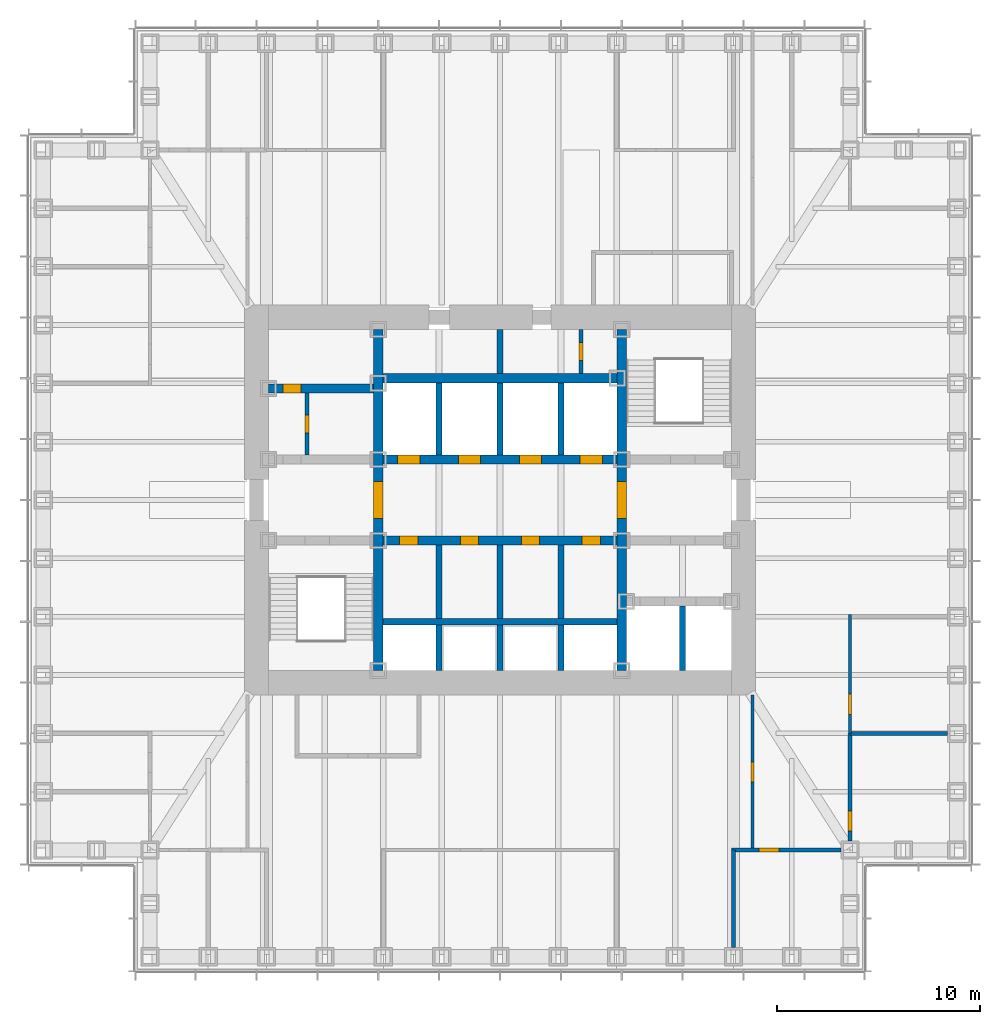
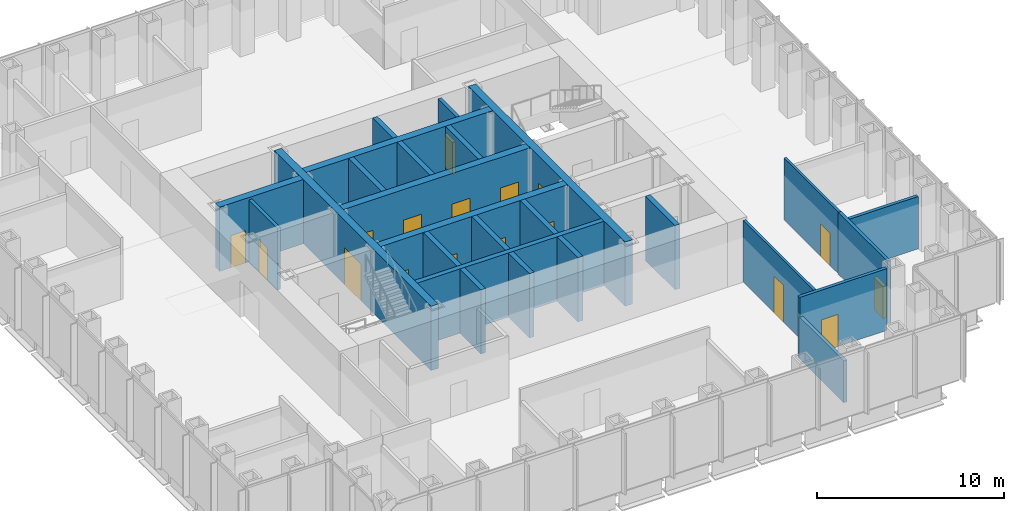
# One storey, part 9 of 17: 26 walls, 17 doors, 17 openings.
"""IFC4 building model written with IfcOpenShell, lengths in metres."""

import ifcopenshell
import ifcopenshell.guid

model = None  # the IFC model being written
_history = None  # IfcOwnerHistory: only IFC2X3 demands one
_inside = {}  # id of a spatial element -> (the spatial element, [elements in it])
_under = {}  # id of a project, library or spatial element -> (it, [spatial elements below it])
_declared = {}  # id of a project -> (the project, [libraries it declares])
_typed = {}  # id of a type object -> (the type object, [elements of that type])
_made_of = {}  # id of a material, layer set ... -> (it, [elements and type objects made of it])


def new_model(schema):
    """Start an empty IFC model of exactly this schema.

    Asked for "IFC4X3", IfcOpenShell would pick the latest addendum, in which some entities
    have other attributes; the version numbers below select the first issue.
    IFC2X3 requires an IfcOwnerHistory on every rooted entity: one is made here for all.
    """
    global model, _history
    if schema == "IFC4X3":
        model = ifcopenshell.file(schema_version=(4, 3, 0, 0))
    else:
        model = ifcopenshell.file(schema=schema)
    _inside.clear()
    _under.clear()
    _declared.clear()
    _typed.clear()
    _made_of.clear()
    _history = None
    if model.schema == "IFC2X3":
        org = make("IfcOrganization", Name="unknown")
        user = make(
            "IfcPersonAndOrganization",
            ThePerson=make("IfcPerson", FamilyName="unknown"),
            TheOrganization=org,
        )
        app = make(
            "IfcApplication",
            ApplicationDeveloper=org,
            Version="unknown",
            ApplicationFullName="unknown",
            ApplicationIdentifier="unknown",
        )
        _history = make(
            "IfcOwnerHistory",
            OwningUser=user,
            OwningApplication=app,
            ChangeAction="ADDED",
            CreationDate=0,
        )
    return model


def make(cls, **values):
    """One entity of the class cls with the attributes given. An attribute that is None is left unset."""
    return model.create_entity(
        cls, **{name: value for name, value in values.items() if value is not None}
    )


def rooted(cls, **values):
    """An entity with a GlobalId (a new one), such as an element, a storey or a relation."""
    return make(cls, GlobalId=ifcopenshell.guid.new(), OwnerHistory=_history, **values)


def si_unit(unit_type, name, prefix=None):
    """IfcSIUnit, for example si_unit("LENGTHUNIT", "METRE", prefix="MILLI")."""
    return make("IfcSIUnit", UnitType=unit_type, Prefix=prefix, Name=name)


def assignment(units):
    """IfcUnitAssignment: the units of a project."""
    return None if units is None else make("IfcUnitAssignment", Units=units)


def point(xyz):
    """IfcCartesianPoint."""
    return None if xyz is None else make("IfcCartesianPoint", Coordinates=xyz)


def direction(xyz):
    """IfcDirection."""
    return None if xyz is None else make("IfcDirection", DirectionRatios=xyz)


def frame(location, z_axis=None, x_axis=None):
    """IfcAxis2Placement3D, a coordinate frame: its origin and axes. An axis left out is left unset."""
    return make(
        "IfcAxis2Placement3D",
        Location=point(location),
        Axis=direction(z_axis),
        RefDirection=direction(x_axis),
    )


def frame_2d(location, x_axis=None):
    """IfcAxis2Placement2D, a coordinate frame in the plane: its origin and x axis."""
    return make(
        "IfcAxis2Placement2D", Location=point(location), RefDirection=direction(x_axis)
    )


def origin():
    """The frame at (0, 0, 0) with its axes left unset."""
    return frame((0.0, 0.0, 0.0))


def place(relative_to, where):
    """IfcLocalPlacement: puts the frame where relative to a parent placement (None: the world)."""
    return make(
        "IfcLocalPlacement", PlacementRelTo=relative_to, RelativePlacement=where
    )


def context(
    kind, dimensions, precision=None, world=None, true_north=None, identifier=None
):
    """IfcGeometricRepresentationContext, for example the 3D "Model" context."""
    return make(
        "IfcGeometricRepresentationContext",
        ContextIdentifier=identifier,
        ContextType=kind,
        CoordinateSpaceDimension=dimensions,
        Precision=precision,
        WorldCoordinateSystem=world,
        TrueNorth=true_north,
    )


def subcontext(parent, identifier, kind, view, scale=None):
    """IfcGeometricRepresentationSubContext, for example "Body" below "Model"."""
    return make(
        "IfcGeometricRepresentationSubContext",
        ContextIdentifier=identifier,
        ContextType=kind,
        ParentContext=parent,
        TargetScale=scale,
        TargetView=view,
    )


def project(units=None, contexts=None):
    """IfcProject with its units and contexts."""
    return rooted(
        "IfcProject",
        Name="project",
        RepresentationContexts=contexts,
        UnitsInContext=assignment(units),
    )


def spatial(cls, under=None, at=None, **own):
    """A site, building, storey or space (cls), placed at a placement, below another one or the project."""
    s = rooted(cls, ObjectPlacement=at, **own)
    if under is not None:
        _under.setdefault(under.id(), (under, []))[1].append(s)
    return s


def profile(cls, at=None, kind="AREA", **sizes):
    """A parametric profile (cls). Its sizes go by their IFC names, for example OverallWidth=200.0."""
    return make(cls, ProfileType=kind, Position=at, **sizes)


def rectangle(**sizes):
    """IfcRectangleProfileDef."""
    return profile("IfcRectangleProfileDef", **sizes)


def extrude(swept, where, along, depth):
    """IfcExtrudedAreaSolid: the profile swept, set in the frame where, extruded along a direction by depth."""
    return make(
        "IfcExtrudedAreaSolid",
        SweptArea=swept,
        Position=where,
        ExtrudedDirection=direction(along),
        Depth=depth,
    )


def shape(context_of_items, identifier, shape_type, items):
    """IfcShapeRepresentation: the items that make up one representation, for example the "Body"."""
    return make(
        "IfcShapeRepresentation",
        ContextOfItems=context_of_items,
        RepresentationIdentifier=identifier,
        RepresentationType=shape_type,
        Items=items,
    )


def material(Name=None, Category=None):
    """IfcMaterial."""
    return make("IfcMaterial", Name=Name, Category=Category)


def layer(
    of_material, thickness, ventilated=None, Name=None, Category=None, Priority=None
):
    """IfcMaterialLayer: one layer of a wall or slab, of a material (None: an air gap)."""
    return make(
        "IfcMaterialLayer",
        Material=of_material,
        LayerThickness=thickness,
        IsVentilated=ventilated,
        Name=Name,
        Category=Category,
        Priority=Priority,
    )


def layer_set(layers, Name=None):
    """IfcMaterialLayerSet."""
    return make("IfcMaterialLayerSet", MaterialLayers=layers, LayerSetName=Name)


def made_of(thing, what):
    """Note that an element or type object is made of a material, layer set ...; save() writes the relation."""
    if what is not None:
        _made_of.setdefault(what.id(), (what, []))[1].append(thing)
    return thing


def type_object(cls, material=None, **own):
    """A type object (cls), such as IfcWallType, which elements share."""
    return made_of(rooted(cls, **own), material)


def element(
    cls,
    number,
    at=None,
    inside=None,
    cuts=None,
    type_object=None,
    material=None,
    context=None,
    identifier="Body",
    shape_type=None,
    held_by="IfcProductDefinitionShape",
    body=None,
    shapes=None,
    **own,
):
    """One element of the class cls, such as IfcWall. Its Tag is "e" and its number.

    at: its placement. inside: the storey or other place that contains it. cuts: it is an
    opening in that element (IfcRelVoidsElement). A single representation is given by context,
    identifier, shape_type and body (its items); several are given by shapes. held_by: the class
    of the entity that holds the representations. save() writes the other relations.
    """
    e = rooted(cls, Tag="e%d" % number, ObjectPlacement=at, **own)
    if body is not None:
        shapes = [shape(context, identifier, shape_type, body)]
    if shapes is not None:
        e.Representation = make(held_by, Representations=shapes)
    if inside is not None:
        _inside.setdefault(inside.id(), (inside, []))[1].append(e)
    if cuts is not None:
        rooted(
            "IfcRelVoidsElement", RelatingBuildingElement=cuts, RelatedOpeningElement=e
        )
    if type_object is not None:
        _typed.setdefault(type_object.id(), (type_object, []))[1].append(e)
    return made_of(e, material)


def fill(opening, filler):
    """IfcRelFillsElement: the door or window that sits in an opening."""
    return rooted(
        "IfcRelFillsElement",
        RelatingOpeningElement=opening,
        RelatedBuildingElement=filler,
    )


def aggregate(whole, parts):
    """IfcRelAggregates: a whole, such as a stair, and the parts it consists of."""
    return rooted("IfcRelAggregates", RelatingObject=whole, RelatedObjects=parts)


def save(model, path):
    """Write the relations noted so far, then the file.

    IfcRelAggregates (storeys below a building ...), IfcRelContainedInSpatialStructure (elements
    in a storey), IfcRelDefinesByType, IfcRelAssociatesMaterial and IfcRelDeclares: one each for
    every whole, place, type object, material and project.
    """
    for whole, parts in _under.values():
        aggregate(whole, parts)
    for where, things in _inside.values():
        rooted(
            "IfcRelContainedInSpatialStructure",
            RelatedElements=things,
            RelatingStructure=where,
        )
    for kind, things in _typed.values():
        rooted("IfcRelDefinesByType", RelatedObjects=things, RelatingType=kind)
    for what, things in _made_of.values():
        rooted("IfcRelAssociatesMaterial", RelatedObjects=things, RelatingMaterial=what)
    for by, libraries in _declared.values():
        rooted("IfcRelDeclares", RelatingContext=by, RelatedDefinitions=libraries)
    model.write(path)


model = new_model("IFC4")

# Units and contexts
model_context = context("Model", 3, precision=1e-05, world=origin(), true_north=direction((0.0, 1.0)))
body_context = subcontext(model_context, "Body", "Model", "MODEL_VIEW")
ifc_project = project(units=[si_unit("LENGTHUNIT", "METRE"), si_unit("AREAUNIT", "SQUARE_METRE"), si_unit("VOLUMEUNIT", "CUBIC_METRE"), si_unit("PLANEANGLEUNIT", "RADIAN"), si_unit("MASSUNIT", "GRAM", prefix="KILO")], contexts=[model_context])

# Site, building, storey
site_placement = place(None, origin())
site = spatial("IfcSite", under=ifc_project, at=site_placement, CompositionType="ELEMENT")
building_placement = place(site_placement, origin())
building = spatial("IfcBuilding", under=site, at=building_placement, Name="Daluyong Arena Tower", CompositionType="ELEMENT")
storey_placement = place(building_placement, frame((0.0, 0.0, 145.89990234375)))
storey = spatial("IfcBuildingStorey", under=building, at=storey_placement, Name="L32", CompositionType="ELEMENT", Elevation=145.89990234375)

# Wall, opening, door
ifc_material_1 = material(Name="Concrete fc' 45 MPa", Category="concrete")
ifc_layer_1 = layer(ifc_material_1, 0.449951171875)
ifc_layer_set_1 = layer_set([ifc_layer_1], Name="Concrete fc' 45 MPa")
wall_type_1 = type_object("IfcWallType", Name="Core inner wall 450", PredefinedType="SHEAR", material=ifc_layer_set_1)
wall_1_placement = place(storey_placement, frame((50.0, 71.60009765625, 0.0), z_axis=(0.0, 0.0, 1.0), x_axis=(0.0, 1.0, 0.0)))
wall_1 = element("IfcWall", 1, at=wall_1_placement, inside=storey, type_object=wall_type_1, Name="core inner wall at L32", PredefinedType="SHEAR", context=body_context, shape_type="SweptSolid", body=[
    extrude(rectangle(XDim=16.7998046875, YDim=0.449951171875, at=frame_2d((8.39990234375, 0.0))), origin(), (0.0, 0.0, 1.0), 4.2001953125),
])
opening_1_placement = place(wall_1_placement, frame((7.5, 0.0, 0.0)))
opening_1 = element("IfcOpeningElement", 2, at=opening_1_placement, cuts=wall_1, Name="Opening 32015", PredefinedType="OPENING", context=body_context, shape_type="SweptSolid", body=[
    extrude(rectangle(XDim=1.800048828125, YDim=2.39990234375, at=frame_2d((0.89990234375, 1.199951171875))), frame((0.0, 0.23486328125, 0.0), z_axis=(0.0, -1.0, 0.0), x_axis=(1.0, 0.0, 0.0)), (0.0, 0.0, 1.0), 0.469970703125),
])
ifc_material_2 = material(Name="Steel door, fire rated", Category="steel")
door_type_1 = type_object("IfcDoorType", Name="Lift lobby opening door 1800", OperationType="DOUBLE_DOOR_SINGLE_SWING", PredefinedType="DOOR", material=ifc_material_2)
door_1_placement = place(opening_1_placement, origin())
door_1 = element("IfcDoor", 3, at=door_1_placement, inside=storey, type_object=door_type_1, Name="lift lobby door west 32015", OperationType="DOUBLE_DOOR_SINGLE_SWING", OverallHeight=2.39990234375, OverallWidth=1.800048828125, PredefinedType="DOOR", context=body_context, shape_type="SweptSolid", body=[
    extrude(rectangle(XDim=1.800048828125, YDim=2.39990234375, at=frame_2d((0.89990234375, 1.199951171875))), frame((0.0, 0.224609375, 0.0), z_axis=(0.0, -1.0, 0.0), x_axis=(1.0, 0.0, 0.0)), (0.0, 0.0, 1.0), 0.449462890625),
])
fill(opening_1, door_1)

wall_2_placement = place(storey_placement, frame((62.0, 71.60009765625, 0.0), z_axis=(0.0, 0.0, 1.0), x_axis=(0.0, 1.0, 0.0)))
wall_2 = element("IfcWall", 4, at=wall_2_placement, inside=storey, type_object=wall_type_1, Name="core inner wall at L32", PredefinedType="SHEAR", context=body_context, shape_type="SweptSolid", body=[
    extrude(rectangle(XDim=16.7998046875, YDim=0.449951171875, at=frame_2d((8.39990234375, 0.0))), origin(), (0.0, 0.0, 1.0), 4.2001953125),
])
opening_2_placement = place(wall_2_placement, frame((7.5, 0.0, 0.0)))
opening_2 = element("IfcOpeningElement", 5, at=opening_2_placement, cuts=wall_2, Name="Opening 32016", PredefinedType="OPENING", context=body_context, shape_type="SweptSolid", body=[
    extrude(rectangle(XDim=1.800048828125, YDim=2.39990234375, at=frame_2d((0.89990234375, 1.199951171875))), frame((0.0, 0.23486328125, 0.0), z_axis=(0.0, -1.0, 0.0), x_axis=(1.0, 0.0, 0.0)), (0.0, 0.0, 1.0), 0.469970703125),
])
door_2_placement = place(opening_2_placement, origin())
door_2 = element("IfcDoor", 6, at=door_2_placement, inside=storey, type_object=door_type_1, Name="lift lobby door east 32016", OperationType="DOUBLE_DOOR_SINGLE_SWING", OverallHeight=2.39990234375, OverallWidth=1.800048828125, PredefinedType="DOOR", context=body_context, shape_type="SweptSolid", body=[
    extrude(rectangle(XDim=1.800048828125, YDim=2.39990234375, at=frame_2d((0.89990234375, 1.199951171875))), frame((0.0, 0.224609375, 0.0), z_axis=(0.0, -1.0, 0.0), x_axis=(1.0, 0.0, 0.0)), (0.0, 0.0, 1.0), 0.449462890625),
])
fill(opening_2, door_2)

wall_3_placement = place(storey_placement, frame((44.60009765625, 85.5, 0.0), z_axis=(0.0, 0.0, 1.0), x_axis=(1.0, 0.0, 0.0)))
wall_3 = element("IfcWall", 7, at=wall_3_placement, inside=storey, type_object=wall_type_1, Name="core inner wall at L32", PredefinedType="SHEAR", context=body_context, shape_type="SweptSolid", body=[
    extrude(rectangle(XDim=5.1748046875, YDim=0.449951171875, at=frame_2d((2.58740234375, 0.0))), origin(), (0.0, 0.0, 1.0), 4.2001953125),
])
opening_3_placement = place(wall_3_placement, frame((0.699951171875, 0.0, 0.0)))
opening_3 = element("IfcOpeningElement", 8, at=opening_3_placement, cuts=wall_3, Name="Opening 32003", PredefinedType="OPENING", context=body_context, shape_type="SweptSolid", body=[
    extrude(rectangle(XDim=0.89990234375, YDim=2.10009765625, at=frame_2d((0.449951171875, 1.050048828125))), frame((0.0, 0.23486328125, 0.0), z_axis=(0.0, -1.0, 0.0), x_axis=(1.0, 0.0, 0.0)), (0.0, 0.0, 1.0), 0.469970703125),
])
ifc_material_3 = material(Name="Timber door", Category="wood")
door_type_2 = type_object("IfcDoorType", Name="Toilet door 900", OperationType="SINGLE_SWING_RIGHT", PredefinedType="DOOR", material=ifc_material_3)
door_3_placement = place(opening_3_placement, origin())
door_3 = element("IfcDoor", 9, at=door_3_placement, inside=storey, type_object=door_type_2, Name="female toilet door 32003", OperationType="SINGLE_SWING_RIGHT", OverallHeight=2.10009765625, OverallWidth=0.89990234375, PredefinedType="DOOR", context=body_context, shape_type="SweptSolid", body=[
    extrude(rectangle(XDim=0.89990234375, YDim=2.10009765625, at=frame_2d((0.449951171875, 1.050048828125))), frame((0.0, 0.224609375, 0.0), z_axis=(0.0, -1.0, 0.0), x_axis=(1.0, 0.0, 0.0)), (0.0, 0.0, 1.0), 0.449462890625),
])
fill(opening_3, door_3)

# Wall, openings, doors
wall_4_placement = place(storey_placement, frame((50.22509765625, 78.0, 0.0), z_axis=(0.0, 0.0, 1.0), x_axis=(1.0, 0.0, 0.0)))
wall_4 = element("IfcWall", 10, at=wall_4_placement, inside=storey, type_object=wall_type_1, Name="core inner wall at L32", PredefinedType="SHEAR", context=body_context, shape_type="SweptSolid", body=[
    extrude(rectangle(XDim=11.5498046875, YDim=0.449951171875, at=frame_2d((5.77490234375, 0.0))), origin(), (0.0, 0.0, 1.0), 4.2001953125),
])
opening_4_placement = place(wall_4_placement, frame((0.824951171875, 0.0, 0.0)))
opening_4 = element("IfcOpeningElement", 11, at=opening_4_placement, cuts=wall_4, Name="Opening 32007", PredefinedType="OPENING", context=body_context, shape_type="SweptSolid", body=[
    extrude(rectangle(XDim=0.89990234375, YDim=2.10009765625, at=frame_2d((0.449951171875, 1.050048828125))), frame((0.0, 0.23486328125, 0.0), z_axis=(0.0, -1.0, 0.0), x_axis=(1.0, 0.0, 0.0)), (0.0, 0.0, 1.0), 0.469970703125),
])
opening_5_placement = place(wall_4_placement, frame((3.824951171875, 0.0, 0.0)))
opening_5 = element("IfcOpeningElement", 12, at=opening_5_placement, cuts=wall_4, Name="Opening 32008", PredefinedType="OPENING", context=body_context, shape_type="SweptSolid", body=[
    extrude(rectangle(XDim=0.89990234375, YDim=2.10009765625, at=frame_2d((0.449951171875, 1.050048828125))), frame((0.0, 0.23486328125, 0.0), z_axis=(0.0, -1.0, 0.0), x_axis=(1.0, 0.0, 0.0)), (0.0, 0.0, 1.0), 0.469970703125),
])
opening_6_placement = place(wall_4_placement, frame((6.824951171875, 0.0, 0.0)))
opening_6 = element("IfcOpeningElement", 13, at=opening_6_placement, cuts=wall_4, Name="Opening 32009", PredefinedType="OPENING", context=body_context, shape_type="SweptSolid", body=[
    extrude(rectangle(XDim=0.89990234375, YDim=2.10009765625, at=frame_2d((0.449951171875, 1.050048828125))), frame((0.0, 0.23486328125, 0.0), z_axis=(0.0, -1.0, 0.0), x_axis=(1.0, 0.0, 0.0)), (0.0, 0.0, 1.0), 0.469970703125),
])
opening_7_placement = place(wall_4_placement, frame((9.824951171875, 0.0, 0.0)))
opening_7 = element("IfcOpeningElement", 14, at=opening_7_placement, cuts=wall_4, Name="Opening 32010", PredefinedType="OPENING", context=body_context, shape_type="SweptSolid", body=[
    extrude(rectangle(XDim=0.89990234375, YDim=2.10009765625, at=frame_2d((0.449951171875, 1.050048828125))), frame((0.0, 0.23486328125, 0.0), z_axis=(0.0, -1.0, 0.0), x_axis=(1.0, 0.0, 0.0)), (0.0, 0.0, 1.0), 0.469970703125),
])
ifc_material_4 = material(Name="Steel door, fire rated", Category="steel")
door_type_3 = type_object("IfcDoorType", Name="Core room door 900", OperationType="SINGLE_SWING_LEFT", PredefinedType="DOOR", material=ifc_material_4)
door_4_placement = place(opening_7_placement, origin())
door_4 = element("IfcDoor", 15, at=door_4_placement, inside=storey, type_object=door_type_3, Name="staff pantry door 32010", OperationType="SINGLE_SWING_LEFT", OverallHeight=2.10009765625, OverallWidth=0.89990234375, PredefinedType="DOOR", context=body_context, shape_type="SweptSolid", body=[
    extrude(rectangle(XDim=0.89990234375, YDim=2.10009765625, at=frame_2d((0.449951171875, 1.050048828125))), frame((0.0, 0.224609375, 0.0), z_axis=(0.0, -1.0, 0.0), x_axis=(1.0, 0.0, 0.0)), (0.0, 0.0, 1.0), 0.449462890625),
])
fill(opening_7, door_4)
ifc_material_5 = material(Name="Steel door, fire rated", Category="steel")
door_type_4 = type_object("IfcDoorType", Name="Core store door 900", OperationType="SINGLE_SWING_LEFT", PredefinedType="DOOR", material=ifc_material_5)
door_5_placement = place(opening_4_placement, origin())
door_5 = element("IfcDoor", 16, at=door_5_placement, inside=storey, type_object=door_type_4, Name="stationery store door 32007", OperationType="SINGLE_SWING_LEFT", OverallHeight=2.10009765625, OverallWidth=0.89990234375, PredefinedType="DOOR", context=body_context, shape_type="SweptSolid", body=[
    extrude(rectangle(XDim=0.89990234375, YDim=2.10009765625, at=frame_2d((0.449951171875, 1.050048828125))), frame((0.0, 0.224609375, 0.0), z_axis=(0.0, -1.0, 0.0), x_axis=(1.0, 0.0, 0.0)), (0.0, 0.0, 1.0), 0.449462890625),
])
fill(opening_4, door_5)
door_6_placement = place(opening_5_placement, origin())
door_6 = element("IfcDoor", 17, at=door_6_placement, inside=storey, type_object=door_type_4, Name="furniture store door 32008", OperationType="SINGLE_SWING_LEFT", OverallHeight=2.10009765625, OverallWidth=0.89990234375, PredefinedType="DOOR", context=body_context, shape_type="SweptSolid", body=[
    extrude(rectangle(XDim=0.89990234375, YDim=2.10009765625, at=frame_2d((0.449951171875, 1.050048828125))), frame((0.0, 0.224609375, 0.0), z_axis=(0.0, -1.0, 0.0), x_axis=(1.0, 0.0, 0.0)), (0.0, 0.0, 1.0), 0.449462890625),
])
fill(opening_5, door_6)
ifc_material_6 = material(Name="Steel door, fire rated", Category="steel")
door_type_5 = type_object("IfcDoorType", Name="Plant room door 900", OperationType="SINGLE_SWING_LEFT", PredefinedType="DOOR", material=ifc_material_6)
door_7_placement = place(opening_6_placement, origin())
door_7 = element("IfcDoor", 18, at=door_7_placement, inside=storey, type_object=door_type_5, Name="comms room door 32009", OperationType="SINGLE_SWING_LEFT", OverallHeight=2.10009765625, OverallWidth=0.89990234375, PredefinedType="DOOR", context=body_context, shape_type="SweptSolid", body=[
    extrude(rectangle(XDim=0.89990234375, YDim=2.10009765625, at=frame_2d((0.449951171875, 1.050048828125))), frame((0.0, 0.224609375, 0.0), z_axis=(0.0, -1.0, 0.0), x_axis=(1.0, 0.0, 0.0)), (0.0, 0.0, 1.0), 0.449462890625),
])
fill(opening_6, door_7)

wall_5_placement = place(storey_placement, frame((50.22509765625, 82.0, 0.0), z_axis=(0.0, 0.0, 1.0), x_axis=(1.0, 0.0, 0.0)))
wall_5 = element("IfcWall", 19, at=wall_5_placement, inside=storey, type_object=wall_type_1, Name="core inner wall at L32", PredefinedType="SHEAR", context=body_context, shape_type="SweptSolid", body=[
    extrude(rectangle(XDim=11.5498046875, YDim=0.449951171875, at=frame_2d((5.77490234375, 0.0))), origin(), (0.0, 0.0, 1.0), 4.2001953125),
])
opening_8_placement = place(wall_5_placement, frame((0.72509765625, 0.0, 0.0)))
opening_8 = element("IfcOpeningElement", 20, at=opening_8_placement, cuts=wall_5, Name="Opening 32018", PredefinedType="OPENING", context=body_context, shape_type="SweptSolid", body=[
    extrude(rectangle(XDim=1.10009765625, YDim=2.199951171875, at=frame_2d((0.550048828125, 1.10009765625))), frame((0.0, 0.23486328125, 0.0), z_axis=(0.0, -1.0, 0.0), x_axis=(1.0, 0.0, 0.0)), (0.0, 0.0, 1.0), 0.469970703125),
])
opening_9_placement = place(wall_5_placement, frame((3.72509765625, 0.0, 0.0)))
opening_9 = element("IfcOpeningElement", 21, at=opening_9_placement, cuts=wall_5, Name="Opening 32019", PredefinedType="OPENING", context=body_context, shape_type="SweptSolid", body=[
    extrude(rectangle(XDim=1.10009765625, YDim=2.199951171875, at=frame_2d((0.550048828125, 1.10009765625))), frame((0.0, 0.23486328125, 0.0), z_axis=(0.0, -1.0, 0.0), x_axis=(1.0, 0.0, 0.0)), (0.0, 0.0, 1.0), 0.469970703125),
])
opening_10_placement = place(wall_5_placement, frame((6.72509765625, 0.0, 0.0)))
opening_10 = element("IfcOpeningElement", 22, at=opening_10_placement, cuts=wall_5, Name="Opening 32020", PredefinedType="OPENING", context=body_context, shape_type="SweptSolid", body=[
    extrude(rectangle(XDim=1.10009765625, YDim=2.199951171875, at=frame_2d((0.550048828125, 1.10009765625))), frame((0.0, 0.23486328125, 0.0), z_axis=(0.0, -1.0, 0.0), x_axis=(1.0, 0.0, 0.0)), (0.0, 0.0, 1.0), 0.469970703125),
])
opening_11_placement = place(wall_5_placement, frame((9.72509765625, 0.0, 0.0)))
opening_11 = element("IfcOpeningElement", 23, at=opening_11_placement, cuts=wall_5, Name="Opening 32021", PredefinedType="OPENING", context=body_context, shape_type="SweptSolid", body=[
    extrude(rectangle(XDim=1.10009765625, YDim=2.199951171875, at=frame_2d((0.550048828125, 1.10009765625))), frame((0.0, 0.23486328125, 0.0), z_axis=(0.0, -1.0, 0.0), x_axis=(1.0, 0.0, 0.0)), (0.0, 0.0, 1.0), 0.469970703125),
])
ifc_material_7 = material(Name="Steel door, fire rated", Category="steel")
door_type_6 = type_object("IfcDoorType", Name="Lift landing door 1100", OperationType="SLIDING_TO_LEFT", PredefinedType="DOOR", material=ifc_material_7)
door_8_placement = place(opening_8_placement, origin())
door_8 = element("IfcDoor", 24, at=door_8_placement, inside=storey, type_object=door_type_6, Name="lift landing door B1 32018", OperationType="SLIDING_TO_LEFT", OverallHeight=2.199951171875, OverallWidth=1.10009765625, PredefinedType="DOOR", context=body_context, shape_type="SweptSolid", body=[
    extrude(rectangle(XDim=1.10009765625, YDim=2.199951171875, at=frame_2d((0.550048828125, 1.10009765625))), frame((0.0, 0.224609375, 0.0), z_axis=(0.0, -1.0, 0.0), x_axis=(1.0, 0.0, 0.0)), (0.0, 0.0, 1.0), 0.449462890625),
])
fill(opening_8, door_8)
door_9_placement = place(opening_9_placement, origin())
door_9 = element("IfcDoor", 25, at=door_9_placement, inside=storey, type_object=door_type_6, Name="lift landing door B2 32019", OperationType="SLIDING_TO_LEFT", OverallHeight=2.199951171875, OverallWidth=1.10009765625, PredefinedType="DOOR", context=body_context, shape_type="SweptSolid", body=[
    extrude(rectangle(XDim=1.10009765625, YDim=2.199951171875, at=frame_2d((0.550048828125, 1.10009765625))), frame((0.0, 0.224609375, 0.0), z_axis=(0.0, -1.0, 0.0), x_axis=(1.0, 0.0, 0.0)), (0.0, 0.0, 1.0), 0.449462890625),
])
fill(opening_9, door_9)
door_10_placement = place(opening_10_placement, origin())
door_10 = element("IfcDoor", 26, at=door_10_placement, inside=storey, type_object=door_type_6, Name="lift landing door B3 32020", OperationType="SLIDING_TO_LEFT", OverallHeight=2.199951171875, OverallWidth=1.10009765625, PredefinedType="DOOR", context=body_context, shape_type="SweptSolid", body=[
    extrude(rectangle(XDim=1.10009765625, YDim=2.199951171875, at=frame_2d((0.550048828125, 1.10009765625))), frame((0.0, 0.224609375, 0.0), z_axis=(0.0, -1.0, 0.0), x_axis=(1.0, 0.0, 0.0)), (0.0, 0.0, 1.0), 0.449462890625),
])
fill(opening_10, door_10)
door_11_placement = place(opening_11_placement, origin())
door_11 = element("IfcDoor", 27, at=door_11_placement, inside=storey, type_object=door_type_6, Name="lift landing door B4 32021", OperationType="SLIDING_TO_LEFT", OverallHeight=2.199951171875, OverallWidth=1.10009765625, PredefinedType="DOOR", context=body_context, shape_type="SweptSolid", body=[
    extrude(rectangle(XDim=1.10009765625, YDim=2.199951171875, at=frame_2d((0.550048828125, 1.10009765625))), frame((0.0, 0.224609375, 0.0), z_axis=(0.0, -1.0, 0.0), x_axis=(1.0, 0.0, 0.0)), (0.0, 0.0, 1.0), 0.449462890625),
])
fill(opening_11, door_11)

# Wall
wall_6_placement = place(storey_placement, frame((50.22509765625, 86.0, 0.0), z_axis=(0.0, 0.0, 1.0), x_axis=(1.0, 0.0, 0.0)))
element("IfcWall", 28, at=wall_6_placement, inside=storey, type_object=wall_type_1, Name="core inner wall at L32", PredefinedType="SHEAR", context=body_context, shape_type="SweptSolid", body=[
    extrude(rectangle(XDim=11.5498046875, YDim=0.449951171875, at=frame_2d((5.77490234375, 0.0))), origin(), (0.0, 0.0, 1.0), 4.2001953125),
])

# Wall, opening, door
ifc_material_8 = material(Name="Concrete block partition, fire rated", Category="concrete")
ifc_layer_2 = layer(ifc_material_8, 0.199951171875)
ifc_layer_set_2 = layer_set([ifc_layer_2], Name="Concrete block partition, fire rated")
wall_type_2 = type_object("IfcWallType", Name="Fire-rated partition 200", PredefinedType="PARTITIONING", material=ifc_layer_set_2)
wall_7_placement = place(storey_placement, frame((46.5, 82.22509765625, 0.0), z_axis=(0.0, 0.0, 1.0), x_axis=(0.0, 1.0, 0.0)))
wall_7 = element("IfcWall", 29, at=wall_7_placement, inside=storey, type_object=wall_type_2, Name="toilet lobby partition at L32", PredefinedType="PARTITIONING", context=body_context, shape_type="SweptSolid", body=[
    extrude(rectangle(XDim=3.0498046875, YDim=0.199951171875, at=frame_2d((1.52490234375, 0.0))), origin(), (0.0, 0.0, 1.0), 4.0400390625),
])
opening_12_placement = place(wall_7_placement, frame((1.074951171875, 0.0, 0.0)))
opening_12 = element("IfcOpeningElement", 30, at=opening_12_placement, cuts=wall_7, Name="Opening 32002", PredefinedType="OPENING", context=body_context, shape_type="SweptSolid", body=[
    extrude(rectangle(XDim=0.89990234375, YDim=2.10009765625, at=frame_2d((0.449951171875, 1.050048828125))), frame((0.0, 0.10986328125, 0.0), z_axis=(0.0, -1.0, 0.0), x_axis=(1.0, 0.0, 0.0)), (0.0, 0.0, 1.0), 0.219970703125),
])
door_12_placement = place(opening_12_placement, origin())
door_12 = element("IfcDoor", 31, at=door_12_placement, inside=storey, type_object=door_type_2, Name="male toilet door 32002", OperationType="SINGLE_SWING_RIGHT", OverallHeight=2.10009765625, OverallWidth=0.89990234375, PredefinedType="DOOR", context=body_context, shape_type="SweptSolid", body=[
    extrude(rectangle(XDim=0.89990234375, YDim=2.10009765625, at=frame_2d((0.449951171875, 1.050048828125))), frame((0.0, 0.099609375, 0.0), z_axis=(0.0, -1.0, 0.0), x_axis=(1.0, 0.0, 0.0)), (0.0, 0.0, 1.0), 0.199462890625),
])
fill(opening_12, door_12)

wall_8_placement = place(storey_placement, frame((60.0, 86.22509765625, 0.0), z_axis=(0.0, 0.0, 1.0), x_axis=(0.0, 1.0, 0.0)))
wall_8 = element("IfcWall", 32, at=wall_8_placement, inside=storey, type_object=wall_type_2, Name="electrical riser enclosure at L32", PredefinedType="PARTITIONING", context=body_context, shape_type="SweptSolid", body=[
    extrude(rectangle(XDim=2.1748046875, YDim=0.199951171875, at=frame_2d((1.08740234375, 0.0))), origin(), (0.0, 0.0, 1.0), 4.0400390625),
])
opening_13_placement = place(wall_8_placement, frame((0.637451171875, 0.0, 0.0)))
opening_13 = element("IfcOpeningElement", 33, at=opening_13_placement, cuts=wall_8, Name="Opening 32006", PredefinedType="OPENING", context=body_context, shape_type="SweptSolid", body=[
    extrude(rectangle(XDim=0.89990234375, YDim=2.10009765625, at=frame_2d((0.449951171875, 1.050048828125))), frame((0.0, 0.10986328125, 0.0), z_axis=(0.0, -1.0, 0.0), x_axis=(1.0, 0.0, 0.0)), (0.0, 0.0, 1.0), 0.219970703125),
])
ifc_material_9 = material(Name="Steel door, fire rated", Category="steel")
door_type_7 = type_object("IfcDoorType", Name="Riser door 900", OperationType="SINGLE_SWING_LEFT", PredefinedType="DOOR", material=ifc_material_9)
door_13_placement = place(opening_13_placement, origin())
door_13 = element("IfcDoor", 34, at=door_13_placement, inside=storey, type_object=door_type_7, Name="riser door 32006", OperationType="SINGLE_SWING_LEFT", OverallHeight=2.10009765625, OverallWidth=0.89990234375, PredefinedType="DOOR", context=body_context, shape_type="SweptSolid", body=[
    extrude(rectangle(XDim=0.89990234375, YDim=2.10009765625, at=frame_2d((0.449951171875, 1.050048828125))), frame((0.0, 0.099609375, 0.0), z_axis=(0.0, -1.0, 0.0), x_axis=(1.0, 0.0, 0.0)), (0.0, 0.0, 1.0), 0.199462890625),
])
fill(opening_13, door_13)

ifc_material_10 = material(Name="Glazed aluminium partition", Category="aluminium")
ifc_layer_3 = layer(ifc_material_10, 0.14990234375)
ifc_layer_set_3 = layer_set([ifc_layer_3], Name="Glazed aluminium partition")
wall_type_3 = type_object("IfcWallType", Name="Glazed partition 150", PredefinedType="PARTITIONING", material=ifc_layer_set_3)
wall_9_placement = place(storey_placement, frame((68.449951171875, 62.800048828125, 0.0), z_axis=(0.0, 0.0, 1.0), x_axis=(0.0, 1.0, 0.0)))
wall_9 = element("IfcWall", 35, at=wall_9_placement, inside=storey, type_object=wall_type_3, Name="glazed partition at L32", PredefinedType="PARTITIONING", context=body_context, shape_type="SweptSolid", body=[
    extrude(rectangle(XDim=7.599853515625, YDim=0.14990234375, at=frame_2d((3.7998046875, 0.0))), origin(), (0.0, 0.0, 1.0), 4.0400390625),
])
opening_14_placement = place(wall_9_placement, frame((3.300048828125, 0.0, 0.0)))
opening_14 = element("IfcOpeningElement", 36, at=opening_14_placement, cuts=wall_9, Name="Opening 32044", PredefinedType="OPENING", context=body_context, shape_type="SweptSolid", body=[
    extrude(rectangle(XDim=1.0, YDim=2.39990234375, at=frame_2d((0.5, 1.199951171875))), frame((0.0, 0.0849609375, 0.0), z_axis=(0.0, -1.0, 0.0), x_axis=(1.0, 0.0, 0.0)), (0.0, 0.0, 1.0), 0.169921875),
])
ifc_material_11 = material(Name="Glazed aluminium door", Category="aluminium")
door_type_8 = type_object("IfcDoorType", Name="Meeting room glazed door 1000", OperationType="SINGLE_SWING_RIGHT", PredefinedType="DOOR", material=ifc_material_11)
door_14_placement = place(opening_14_placement, origin())
door_14 = element("IfcDoor", 37, at=door_14_placement, inside=storey, type_object=door_type_8, Name="team area screen door 32044", OperationType="SINGLE_SWING_RIGHT", OverallHeight=2.39990234375, OverallWidth=1.0, PredefinedType="DOOR", context=body_context, shape_type="SweptSolid", body=[
    extrude(rectangle(XDim=1.0, YDim=2.39990234375, at=frame_2d((0.5, 1.199951171875))), frame((0.0, 0.07470703125, 0.0), z_axis=(0.0, -1.0, 0.0), x_axis=(1.0, 0.0, 0.0)), (0.0, 0.0, 1.0), 0.1494140625),
])
fill(opening_14, door_14)

wall_10_placement = place(storey_placement, frame((73.25, 68.5, 0.0), z_axis=(0.0, 0.0, 1.0), x_axis=(0.0, 1.0, 0.0)))
wall_10 = element("IfcWall", 38, at=wall_10_placement, inside=storey, type_object=wall_type_3, Name="glazed partition at L32", PredefinedType="PARTITIONING", context=body_context, shape_type="SweptSolid", body=[
    extrude(rectangle(XDim=5.85009765625, YDim=0.14990234375, at=frame_2d((2.925048828125, 0.0))), origin(), (0.0, 0.0, 1.0), 4.0400390625),
])
opening_15_placement = place(wall_10_placement, frame((0.9375, 0.0, 0.0)))
opening_15 = element("IfcOpeningElement", 39, at=opening_15_placement, cuts=wall_10, Name="Opening 32029", PredefinedType="OPENING", context=body_context, shape_type="SweptSolid", body=[
    extrude(rectangle(XDim=1.0, YDim=2.10009765625, at=frame_2d((0.5, 1.050048828125))), frame((0.0, 0.0849609375, 0.0), z_axis=(0.0, -1.0, 0.0), x_axis=(1.0, 0.0, 0.0)), (0.0, 0.0, 1.0), 0.169921875),
])
ifc_material_12 = material(Name="Timber door", Category="wood")
door_type_9 = type_object("IfcDoorType", Name="Room door 1000", OperationType="SINGLE_SWING_LEFT", PredefinedType="DOOR", material=ifc_material_12)
door_15_placement = place(opening_15_placement, origin())
door_15 = element("IfcDoor", 40, at=door_15_placement, inside=storey, type_object=door_type_9, Name="office door 32029", OperationType="SINGLE_SWING_LEFT", OverallHeight=2.10009765625, OverallWidth=1.0, PredefinedType="DOOR", context=body_context, shape_type="SweptSolid", body=[
    extrude(rectangle(XDim=1.0, YDim=2.10009765625, at=frame_2d((0.5, 1.050048828125))), frame((0.0, 0.07470703125, 0.0), z_axis=(0.0, -1.0, 0.0), x_axis=(1.0, 0.0, 0.0)), (0.0, 0.0, 1.0), 0.1494140625),
])
fill(opening_15, door_15)

# Walls
ifc_material_13 = material(Name="Concrete fc' 45 MPa", Category="concrete")
ifc_layer_4 = layer(ifc_material_13, 0.300048828125)
ifc_layer_set_4 = layer_set([ifc_layer_4], Name="Concrete fc' 45 MPa")
wall_type_4 = type_object("IfcWallType", Name="Lift shaft wall 300", PredefinedType="SHEAR", material=ifc_layer_set_4)
wall_11_placement = place(storey_placement, frame((50.22509765625, 74.0, 0.0), z_axis=(0.0, 0.0, 1.0), x_axis=(1.0, 0.0, 0.0)))
element("IfcWall", 41, at=wall_11_placement, inside=storey, type_object=wall_type_4, Name="lift shaft wall at L32", PredefinedType="SHEAR", context=body_context, shape_type="SweptSolid", body=[
    extrude(rectangle(XDim=11.5498046875, YDim=0.300048828125, at=frame_2d((5.77490234375, 0.0))), origin(), (0.0, 0.0, 1.0), 4.2001953125),
])
wall_12_placement = place(storey_placement, frame((53.0, 71.60009765625, 0.0), z_axis=(0.0, 0.0, 1.0), x_axis=(0.0, 1.0, 0.0)))
element("IfcWall", 42, at=wall_12_placement, inside=storey, type_object=wall_type_4, Name="lift shaft wall at L32", PredefinedType="SHEAR", context=body_context, shape_type="SweptSolid", body=[
    extrude(rectangle(XDim=2.25, YDim=0.300048828125, at=frame_2d((1.125, 0.0))), origin(), (0.0, 0.0, 1.0), 4.2001953125),
])
wall_13_placement = place(storey_placement, frame((53.0, 74.14990234375, 0.0), z_axis=(0.0, 0.0, 1.0), x_axis=(0.0, 1.0, 0.0)))
element("IfcWall", 43, at=wall_13_placement, inside=storey, type_object=wall_type_4, Name="lift shaft wall at L32", PredefinedType="SHEAR", context=body_context, shape_type="SweptSolid", body=[
    extrude(rectangle(XDim=3.625, YDim=0.300048828125, at=frame_2d((1.8125, 0.0))), origin(), (0.0, 0.0, 1.0), 4.2001953125),
])
wall_14_placement = place(storey_placement, frame((53.0, 82.22509765625, 0.0), z_axis=(0.0, 0.0, 1.0), x_axis=(0.0, 1.0, 0.0)))
element("IfcWall", 44, at=wall_14_placement, inside=storey, type_object=wall_type_4, Name="lift shaft wall at L32", PredefinedType="SHEAR", context=body_context, shape_type="SweptSolid", body=[
    extrude(rectangle(XDim=3.5498046875, YDim=0.300048828125, at=frame_2d((1.77490234375, 0.0))), origin(), (0.0, 0.0, 1.0), 4.2001953125),
])
wall_15_placement = place(storey_placement, frame((56.0, 71.60009765625, 0.0), z_axis=(0.0, 0.0, 1.0), x_axis=(0.0, 1.0, 0.0)))
element("IfcWall", 45, at=wall_15_placement, inside=storey, type_object=wall_type_4, Name="lift shaft wall at L32", PredefinedType="SHEAR", context=body_context, shape_type="SweptSolid", body=[
    extrude(rectangle(XDim=2.25, YDim=0.300048828125, at=frame_2d((1.125, 0.0))), origin(), (0.0, 0.0, 1.0), 4.2001953125),
])
wall_16_placement = place(storey_placement, frame((56.0, 74.14990234375, 0.0), z_axis=(0.0, 0.0, 1.0), x_axis=(0.0, 1.0, 0.0)))
element("IfcWall", 46, at=wall_16_placement, inside=storey, type_object=wall_type_4, Name="lift shaft wall at L32", PredefinedType="SHEAR", context=body_context, shape_type="SweptSolid", body=[
    extrude(rectangle(XDim=3.625, YDim=0.300048828125, at=frame_2d((1.8125, 0.0))), origin(), (0.0, 0.0, 1.0), 4.2001953125),
])
wall_17_placement = place(storey_placement, frame((56.0, 82.22509765625, 0.0), z_axis=(0.0, 0.0, 1.0), x_axis=(0.0, 1.0, 0.0)))
element("IfcWall", 47, at=wall_17_placement, inside=storey, type_object=wall_type_4, Name="lift shaft wall at L32", PredefinedType="SHEAR", context=body_context, shape_type="SweptSolid", body=[
    extrude(rectangle(XDim=3.5498046875, YDim=0.300048828125, at=frame_2d((1.77490234375, 0.0))), origin(), (0.0, 0.0, 1.0), 4.2001953125),
])
wall_18_placement = place(storey_placement, frame((59.0, 71.60009765625, 0.0), z_axis=(0.0, 0.0, 1.0), x_axis=(0.0, 1.0, 0.0)))
element("IfcWall", 48, at=wall_18_placement, inside=storey, type_object=wall_type_4, Name="lift shaft wall at L32", PredefinedType="SHEAR", context=body_context, shape_type="SweptSolid", body=[
    extrude(rectangle(XDim=2.25, YDim=0.300048828125, at=frame_2d((1.125, 0.0))), origin(), (0.0, 0.0, 1.0), 4.2001953125),
])
wall_19_placement = place(storey_placement, frame((59.0, 74.14990234375, 0.0), z_axis=(0.0, 0.0, 1.0), x_axis=(0.0, 1.0, 0.0)))
element("IfcWall", 49, at=wall_19_placement, inside=storey, type_object=wall_type_4, Name="lift shaft wall at L32", PredefinedType="SHEAR", context=body_context, shape_type="SweptSolid", body=[
    extrude(rectangle(XDim=3.625, YDim=0.300048828125, at=frame_2d((1.8125, 0.0))), origin(), (0.0, 0.0, 1.0), 4.2001953125),
])
wall_20_placement = place(storey_placement, frame((59.0, 82.22509765625, 0.0), z_axis=(0.0, 0.0, 1.0), x_axis=(0.0, 1.0, 0.0)))
element("IfcWall", 50, at=wall_20_placement, inside=storey, type_object=wall_type_4, Name="lift shaft wall at L32", PredefinedType="SHEAR", context=body_context, shape_type="SweptSolid", body=[
    extrude(rectangle(XDim=3.5498046875, YDim=0.300048828125, at=frame_2d((1.77490234375, 0.0))), origin(), (0.0, 0.0, 1.0), 4.2001953125),
])
wall_21_placement = place(storey_placement, frame((65.0, 71.60009765625, 0.0), z_axis=(0.0, 0.0, 1.0), x_axis=(0.0, 1.0, 0.0)))
element("IfcWall", 51, at=wall_21_placement, inside=storey, type_object=wall_type_4, Name="lift shaft wall at L32", PredefinedType="SHEAR", context=body_context, shape_type="SweptSolid", body=[
    extrude(rectangle(XDim=3.1748046875, YDim=0.300048828125, at=frame_2d((1.58740234375, 0.0))), origin(), (0.0, 0.0, 1.0), 4.2001953125),
])
wall_22_placement = place(storey_placement, frame((56.0, 86.22509765625, 0.0), z_axis=(0.0, 0.0, 1.0), x_axis=(0.0, 1.0, 0.0)))
element("IfcWall", 52, at=wall_22_placement, inside=storey, type_object=wall_type_4, Name="lift shaft wall at L32", PredefinedType="SHEAR", context=body_context, shape_type="SweptSolid", body=[
    extrude(rectangle(XDim=2.1748046875, YDim=0.300048828125, at=frame_2d((1.08740234375, 0.0))), origin(), (0.0, 0.0, 1.0), 4.2001953125),
])
ifc_material_14 = material(Name="Concrete block partition", Category="concrete")
ifc_layer_5 = layer(ifc_material_14, 0.199951171875)
ifc_layer_set_5 = layer_set([ifc_layer_5], Name="Concrete block partition")
wall_type_5 = type_object("IfcWallType", Name="Partition 200", PredefinedType="PARTITIONING", material=ifc_layer_set_5)
wall_23_placement = place(storey_placement, frame((67.5, 57.949951171875, 0.0), z_axis=(0.0, 0.0, 1.0), x_axis=(0.0, 1.0, 0.0)))
element("IfcWall", 53, at=wall_23_placement, inside=storey, type_object=wall_type_5, Name="partition at L32", PredefinedType="PARTITIONING", context=body_context, shape_type="SweptSolid", body=[
    extrude(rectangle(XDim=4.800048828125, YDim=0.199951171875, at=frame_2d((2.39990234375, 0.0))), origin(), (0.0, 0.0, 1.0), 2.739990234375),
])
wall_24_placement = place(storey_placement, frame((73.25, 68.5, 0.0), z_axis=(0.0, 0.0, 1.0), x_axis=(1.0, 0.0, 0.0)))
element("IfcWall", 54, at=wall_24_placement, inside=storey, type_object=wall_type_5, Name="partition at L32", PredefinedType="PARTITIONING", context=body_context, shape_type="SweptSolid", body=[
    extrude(rectangle(XDim=4.800048828125, YDim=0.199951171875, at=frame_2d((2.39990234375, 0.0))), origin(), (0.0, 0.0, 1.0), 3.427978515625),
])

# Wall, opening, door
wall_25_placement = place(storey_placement, frame((67.39990234375, 62.75, 0.0), z_axis=(0.0, 0.0, 1.0), x_axis=(1.0, 0.0, 0.0)))
wall_25 = element("IfcWall", 55, at=wall_25_placement, inside=storey, type_object=wall_type_5, Name="partition at L32", PredefinedType="PARTITIONING", context=body_context, shape_type="SweptSolid", body=[
    extrude(rectangle(XDim=5.400146484375, YDim=0.199951171875, at=frame_2d((2.7001953125, 0.0))), origin(), (0.0, 0.0, 1.0), 4.0400390625),
])
opening_16_placement = place(wall_25_placement, frame((1.35009765625, 0.0, 0.0)))
opening_16 = element("IfcOpeningElement", 56, at=opening_16_placement, cuts=wall_25, Name="Opening 32027", PredefinedType="OPENING", context=body_context, shape_type="SweptSolid", body=[
    extrude(rectangle(XDim=1.0, YDim=2.10009765625, at=frame_2d((0.5, 1.050048828125))), frame((0.0, 0.10986328125, 0.0), z_axis=(0.0, -1.0, 0.0), x_axis=(1.0, 0.0, 0.0)), (0.0, 0.0, 1.0), 0.219970703125),
])
door_16_placement = place(opening_16_placement, origin())
door_16 = element("IfcDoor", 57, at=door_16_placement, inside=storey, type_object=door_type_9, Name="project room door 32027", OperationType="SINGLE_SWING_LEFT", OverallHeight=2.10009765625, OverallWidth=1.0, PredefinedType="DOOR", context=body_context, shape_type="SweptSolid", body=[
    extrude(rectangle(XDim=1.0, YDim=2.10009765625, at=frame_2d((0.5, 1.050048828125))), frame((0.0, 0.099609375, 0.0), z_axis=(0.0, -1.0, 0.0), x_axis=(1.0, 0.0, 0.0)), (0.0, 0.0, 1.0), 0.199462890625),
])
fill(opening_16, door_16)

wall_26_placement = place(storey_placement, frame((73.25, 63.199951171875, 0.0), z_axis=(0.0, 0.0, 1.0), x_axis=(0.0, 1.0, 0.0)))
wall_26 = element("IfcWall", 58, at=wall_26_placement, inside=storey, type_object=wall_type_5, Name="partition at L32", PredefinedType="PARTITIONING", context=body_context, shape_type="SweptSolid", body=[
    extrude(rectangle(XDim=5.300048828125, YDim=0.199951171875, at=frame_2d((2.64990234375, 0.0))), origin(), (0.0, 0.0, 1.0), 4.0400390625),
])
opening_17_placement = place(wall_26_placement, frame((0.487548828125, 0.0, 0.0)))
opening_17 = element("IfcOpeningElement", 59, at=opening_17_placement, cuts=wall_26, Name="Opening 32028", PredefinedType="OPENING", context=body_context, shape_type="SweptSolid", body=[
    extrude(rectangle(XDim=1.0, YDim=2.10009765625, at=frame_2d((0.5, 1.050048828125))), frame((0.0, 0.10986328125, 0.0), z_axis=(0.0, -1.0, 0.0), x_axis=(1.0, 0.0, 0.0)), (0.0, 0.0, 1.0), 0.219970703125),
])
door_17_placement = place(opening_17_placement, origin())
door_17 = element("IfcDoor", 60, at=door_17_placement, inside=storey, type_object=door_type_9, Name="project room door 32028", OperationType="SINGLE_SWING_LEFT", OverallHeight=2.10009765625, OverallWidth=1.0, PredefinedType="DOOR", context=body_context, shape_type="SweptSolid", body=[
    extrude(rectangle(XDim=1.0, YDim=2.10009765625, at=frame_2d((0.5, 1.050048828125))), frame((0.0, 0.099609375, 0.0), z_axis=(0.0, -1.0, 0.0), x_axis=(1.0, 0.0, 0.0)), (0.0, 0.0, 1.0), 0.199462890625),
])
fill(opening_17, door_17)

save(model, "model.ifc")
